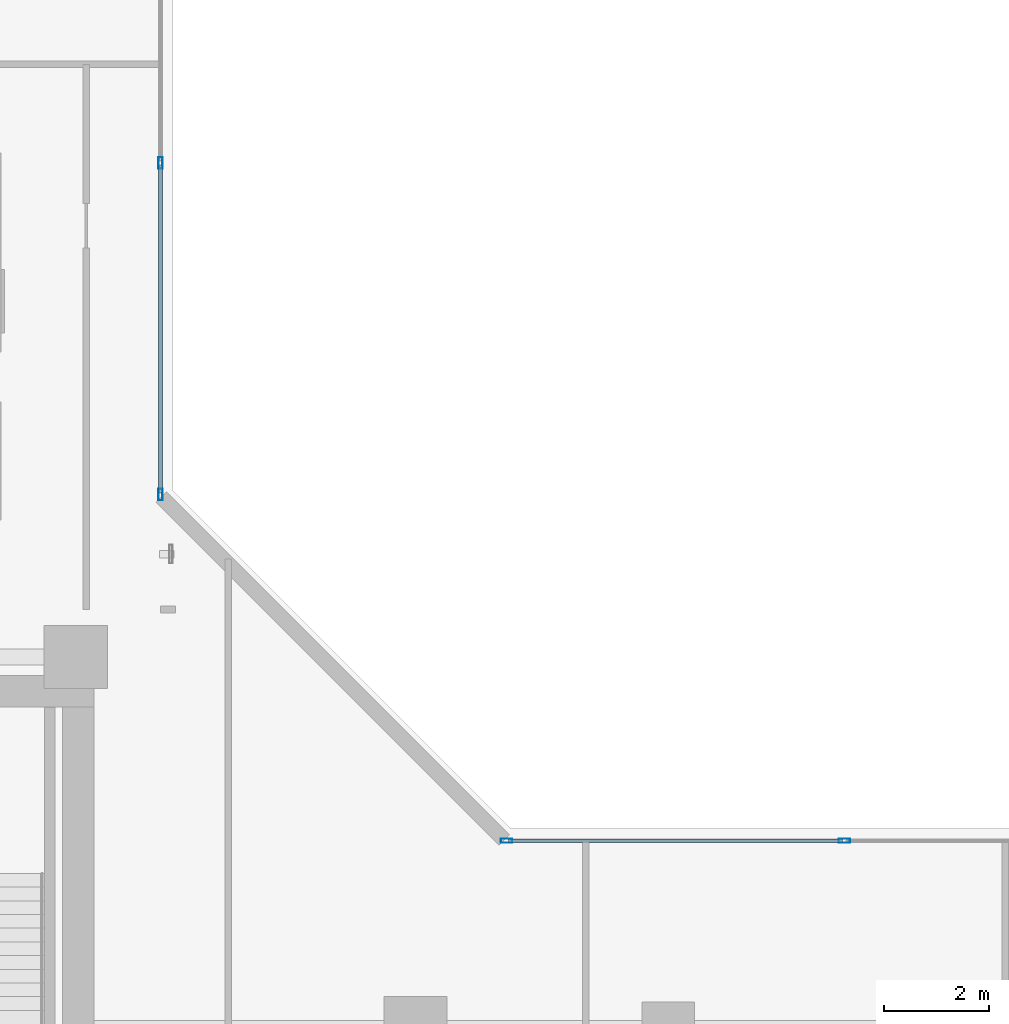
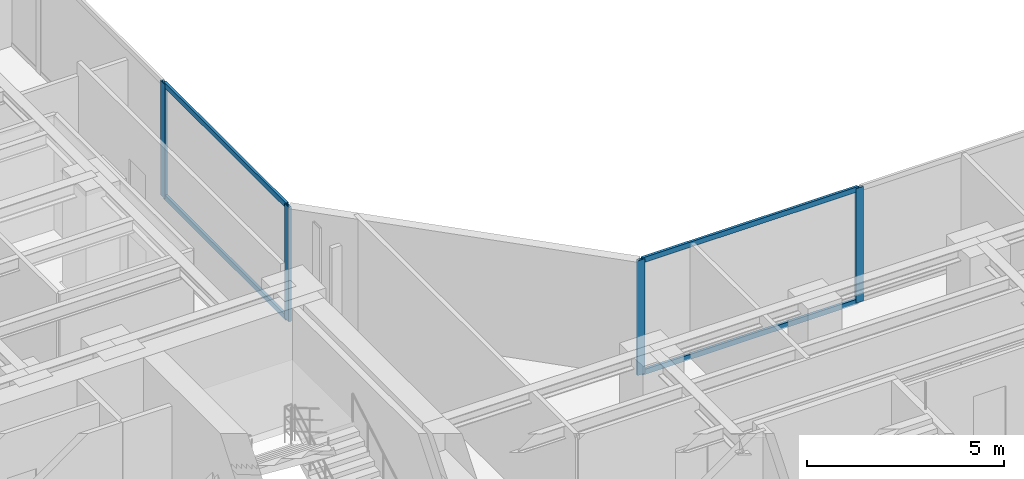
# One storey, part 9 of 26: 8 members, 2 elements without a shape of their own.
"""IFC4 building model written with IfcOpenShell, lengths in metres."""

from ifc_helpers import new_model, si_unit, direction, frame, origin, origin_with_axes, origin_2d, place, context, subcontext, project, spatial, hollow_rectangle, extrude, source, transform, mapped, material, layer, layer_set, material_profile, profile_set, type_object, element, aggregate, save


model = new_model("IFC4")

# Units and contexts
model_context = context("Model", 3, precision=1e-05, world=origin(), true_north=direction((0.0, 1.0)))
body_context = subcontext(model_context, "Body", "Model", "MODEL_VIEW")
ifc_project = project(units=[si_unit("LENGTHUNIT", "METRE"), si_unit("AREAUNIT", "SQUARE_METRE"), si_unit("VOLUMEUNIT", "CUBIC_METRE"), si_unit("PLANEANGLEUNIT", "RADIAN"), si_unit("MASSUNIT", "GRAM", prefix="KILO")], contexts=[model_context])

# Site, building, storey
site_placement = place(None, origin())
site = spatial("IfcSite", under=ifc_project, at=site_placement, CompositionType="ELEMENT")
building_placement = place(site_placement, origin())
building = spatial("IfcBuilding", under=site, at=building_placement, Name="Kolvaren Waterfront Exchange", CompositionType="ELEMENT")
storey_placement = place(building_placement, frame((0.0, 0.0, 180.39990234375)))
storey = spatial("IfcBuildingStorey", under=building, at=storey_placement, Name="L46", CompositionType="ELEMENT", Elevation=180.39990234375)

# Curtain wall, members
ifc_material_1 = material(Name="Anodised bronze aluminium 6063-T6", Category="aluminium")
ifc_layer = layer(ifc_material_1, 0.219970703125, Name="Anodised bronze aluminium 6063-T6")
ifc_layer_set = layer_set([ifc_layer], Name="Anodised bronze aluminium 6063-T6")
curtain_wall_type = type_object("IfcCurtainWallType", Name="ARC-CW-SYS1", PredefinedType="USERDEFINED", material=ifc_layer_set)
curtain_wall_1_placement = place(storey_placement, origin())
curtain_wall_1 = element("IfcCurtainWall", 1, at=curtain_wall_1_placement, inside=storey, type_object=curtain_wall_type, Name="L46 stick curtain wall CW1 (CW-L46-NE)", ObjectType="STICK CURTAIN WALL", PredefinedType="USERDEFINED")
ifc_material_2 = material(Name="Anodised aluminium 6063-T6", Category="aluminium")
ifc_material_profile_1 = material_profile(ifc_material_2, hollow_rectangle(XDim=0.080078125, YDim=0.219970703125, WallThickness=0.0048828125, at=origin_2d()), Name="ALU-MUL-220x80x5")
ifc_profile_set_1 = profile_set([ifc_material_profile_1], Name="Anodised aluminium 6063-T6")
member_type_1 = type_object("IfcMemberType", Name="ARC-CWM-220", PredefinedType="MULLION", material=ifc_profile_set_1)
shared_shape_1 = source(origin_with_axes(), body_context, "Body", "SweptSolid", [
    extrude(hollow_rectangle(XDim=0.080078125, YDim=0.219970703125, WallThickness=0.0048828125, at=origin_2d()), origin(), (0.0, 0.0, 1.0), 3.56005859375),
])
member_1_placement = place(storey_placement, frame((22.360107421875, 27.530029296875, 0.0), z_axis=(0.0, 0.0, 1.0), x_axis=(-1.0, 0.0, 0.0)))
member_1 = element("IfcMember", 2, at=member_1_placement, type_object=member_type_1, Name="CW1 mullion 1", PredefinedType="MULLION", context=body_context, shape_type="MappedRepresentation", body=[
    mapped(shared_shape_1, transform((0.0, 0.0, 0.0), x_axis=(1.0, 0.0, 0.0), y_axis=(0.0, 1.0, 0.0), z_axis=(0.0, 0.0, 1.0), scale=1.0)),
])
member_2_placement = place(storey_placement, frame((22.360107421875, 33.82666015625, 0.0), z_axis=(0.0, 0.0, 1.0), x_axis=(-1.0, 0.0, 0.0)))
member_2 = element("IfcMember", 3, at=member_2_placement, type_object=member_type_1, Name="CW1 mullion 2", PredefinedType="MULLION", context=body_context, shape_type="MappedRepresentation", body=[
    mapped(shared_shape_1, transform((0.0, 0.0, 0.0), x_axis=(1.0, 0.0, 0.0), y_axis=(0.0, 1.0, 0.0), z_axis=(0.0, 0.0, 1.0), scale=1.0)),
])

curtain_wall_2_placement = place(storey_placement, origin())
curtain_wall_2 = element("IfcCurtainWall", 4, at=curtain_wall_2_placement, inside=storey, type_object=curtain_wall_type, Name="L46 stick curtain wall CW1 (CW-L46-EN)", ObjectType="STICK CURTAIN WALL", PredefinedType="USERDEFINED")
member_3_placement = place(storey_placement, frame((28.929931640625, 20.9599609375, 0.0), z_axis=(0.0, 0.0, 1.0), x_axis=(0.0, 1.0, 0.0)))
member_3 = element("IfcMember", 5, at=member_3_placement, type_object=member_type_1, Name="CW1 mullion 1", PredefinedType="MULLION", context=body_context, shape_type="MappedRepresentation", body=[
    mapped(shared_shape_1, transform((0.0, 0.0, 0.0), x_axis=(1.0, 0.0, 0.0), y_axis=(0.0, 1.0, 0.0), z_axis=(0.0, 0.0, 1.0), scale=1.0)),
])
member_4_placement = place(storey_placement, frame((35.342529296875, 20.9599609375, 0.0), z_axis=(0.0, 0.0, 1.0), x_axis=(0.0, 1.0, 0.0)))
member_4 = element("IfcMember", 6, at=member_4_placement, type_object=member_type_1, Name="CW1 mullion 2", PredefinedType="MULLION", context=body_context, shape_type="MappedRepresentation", body=[
    mapped(shared_shape_1, transform((0.0, 0.0, 0.0), x_axis=(1.0, 0.0, 0.0), y_axis=(0.0, 1.0, 0.0), z_axis=(0.0, 0.0, 1.0), scale=1.0)),
])

# Member
ifc_material_profile_2 = material_profile(ifc_material_2, hollow_rectangle(XDim=0.074951171875, YDim=0.159912109375, WallThickness=0.00439453125, at=origin_2d()), Name="ALU-TRN-160x75x4.5")
ifc_profile_set_2 = profile_set([ifc_material_profile_2], Name="Anodised aluminium 6063-T6")
member_type_2 = type_object("IfcMemberType", Name="ARC-CWT-160", PredefinedType="USERDEFINED", material=ifc_profile_set_2)
shared_shape_2 = source(origin_with_axes(), body_context, "Body", "SweptSolid", [
    extrude(hollow_rectangle(XDim=0.074951171875, YDim=0.159912109375, WallThickness=0.00439453125, at=origin_2d()), origin(), (0.0, 0.0, 1.0), 6.216552734375),
])
member_5_placement = place(storey_placement, frame((22.360107421875, 27.570068359375, 0.03759765625), z_axis=(0.0, 1.0, 0.0), x_axis=(-1.0, 0.0, 0.0)))
member_5 = element("IfcMember", 7, at=member_5_placement, type_object=member_type_2, Name="CW1 transom 1.1", ObjectType="TRANSOM", PredefinedType="USERDEFINED", context=body_context, shape_type="MappedRepresentation", body=[
    mapped(shared_shape_2, transform((0.0, 0.0, 0.0), x_axis=(1.0, 0.0, 0.0), y_axis=(0.0, 1.0, 0.0), z_axis=(0.0, 0.0, 1.0), scale=1.0)),
])

member_6_placement = place(storey_placement, frame((22.360107421875, 27.570068359375, 3.522705078125), z_axis=(0.0, 1.0, 0.0), x_axis=(-1.0, 0.0, 0.0)))
member_6 = element("IfcMember", 8, at=member_6_placement, type_object=member_type_2, Name="CW1 transom 1.2", ObjectType="TRANSOM", PredefinedType="USERDEFINED", context=body_context, shape_type="MappedRepresentation", body=[
    mapped(shared_shape_2, transform((0.0, 0.0, 0.0), x_axis=(1.0, 0.0, 0.0), y_axis=(0.0, 1.0, 0.0), z_axis=(0.0, 0.0, 1.0), scale=1.0)),
])

aggregate(curtain_wall_1, [member_1, member_2, member_5, member_6])

shared_shape_3 = source(origin_with_axes(), body_context, "Body", "SweptSolid", [
    extrude(hollow_rectangle(XDim=0.074951171875, YDim=0.159912109375, WallThickness=0.00439453125, at=origin_2d()), origin(), (0.0, 0.0, 1.0), 6.33251953125),
])
member_7_placement = place(storey_placement, frame((28.969970703125, 20.9599609375, 0.03759765625), z_axis=(1.0, 0.0, 0.0), x_axis=(0.0, 1.0, 0.0)))
member_7 = element("IfcMember", 9, at=member_7_placement, type_object=member_type_2, Name="CW1 transom 1.1", ObjectType="TRANSOM", PredefinedType="USERDEFINED", context=body_context, shape_type="MappedRepresentation", body=[
    mapped(shared_shape_3, transform((0.0, 0.0, 0.0), x_axis=(1.0, 0.0, 0.0), y_axis=(0.0, 1.0, 0.0), z_axis=(0.0, 0.0, 1.0), scale=1.0)),
])

member_8_placement = place(storey_placement, frame((28.969970703125, 20.9599609375, 3.522705078125), z_axis=(1.0, 0.0, 0.0), x_axis=(0.0, 1.0, 0.0)))
member_8 = element("IfcMember", 10, at=member_8_placement, type_object=member_type_2, Name="CW1 transom 1.2", ObjectType="TRANSOM", PredefinedType="USERDEFINED", context=body_context, shape_type="MappedRepresentation", body=[
    mapped(shared_shape_3, transform((0.0, 0.0, 0.0), x_axis=(1.0, 0.0, 0.0), y_axis=(0.0, 1.0, 0.0), z_axis=(0.0, 0.0, 1.0), scale=1.0)),
])

aggregate(curtain_wall_2, [member_3, member_4, member_7, member_8])

save(model, "model.ifc")
